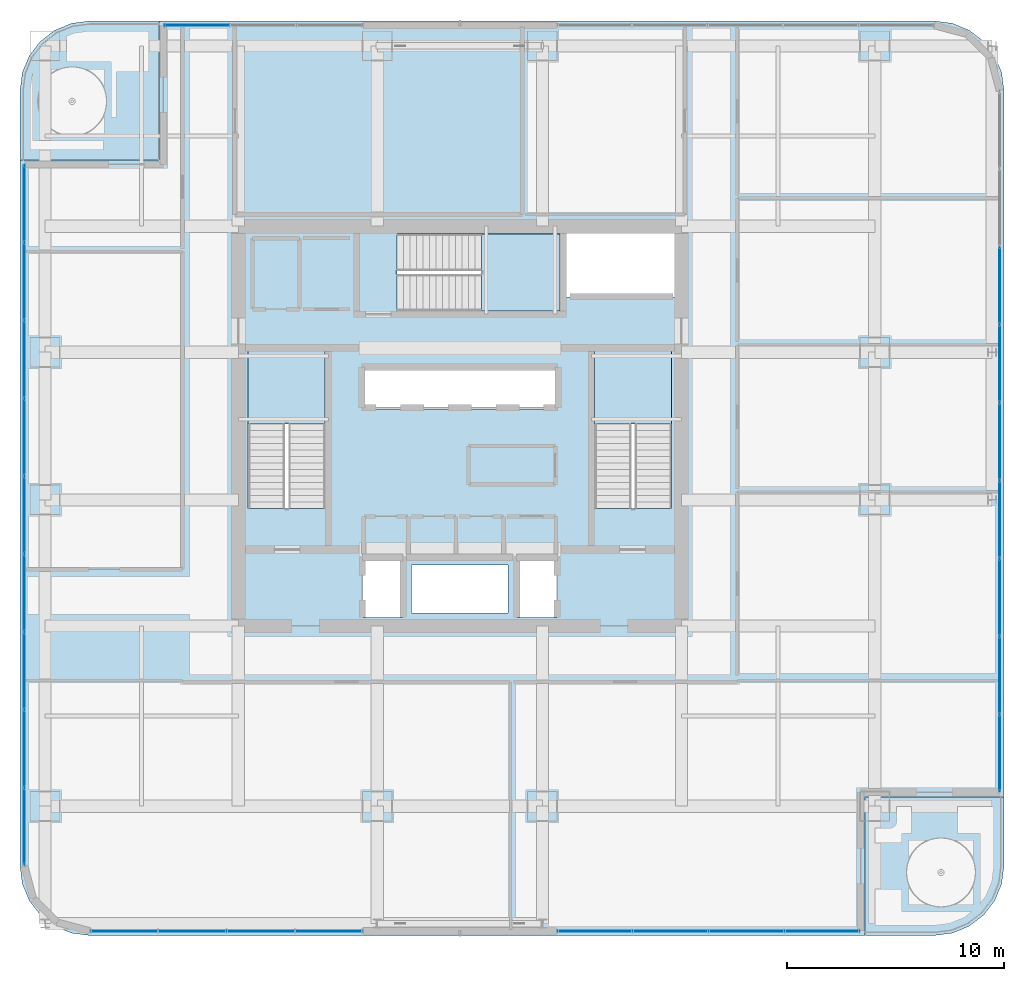
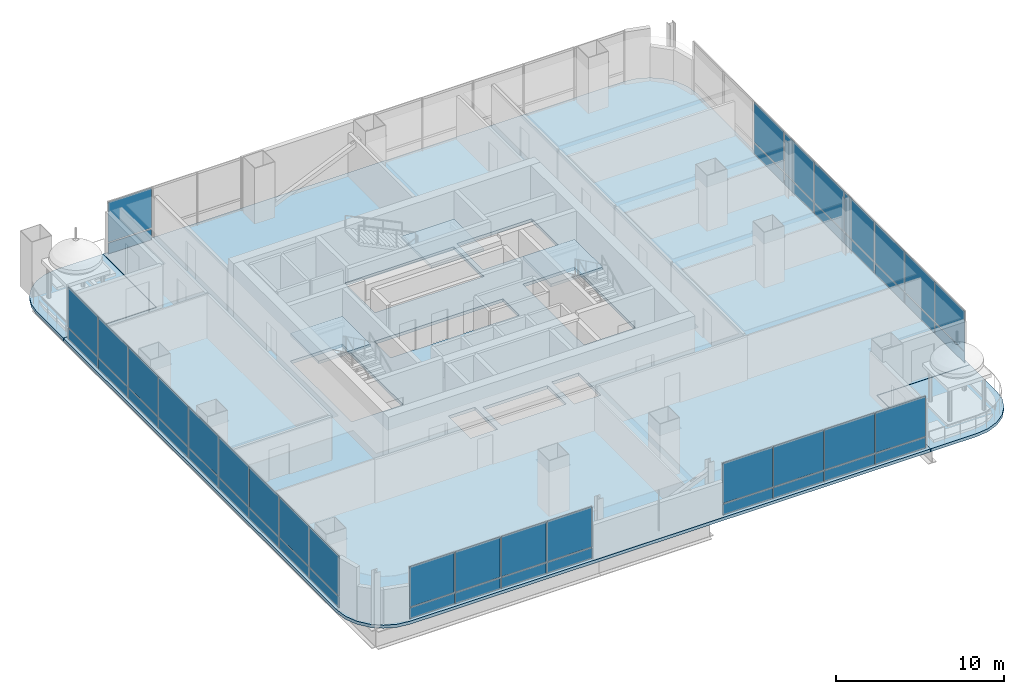
# One storey, part 27 of 41: 50 plates, 6 slabs, 8 elements without a shape of their own.
"""IFC4 building model written with IfcOpenShell, lengths in metres."""

from ifc_helpers import new_model, si_unit, direction, frame, origin, origin_2d, place, context, subcontext, project, spatial, polyline, rectangle, outline, extrude, material, layer, layer_set, type_object, element, aggregate, save


model = new_model("IFC4")

# Units and contexts
model_context = context("Model", 3, precision=1e-05, world=origin(), true_north=direction((0.0, 1.0)))
body_context = subcontext(model_context, "Body", "Model", "MODEL_VIEW")
ifc_project = project(units=[si_unit("LENGTHUNIT", "METRE"), si_unit("AREAUNIT", "SQUARE_METRE"), si_unit("VOLUMEUNIT", "CUBIC_METRE"), si_unit("PLANEANGLEUNIT", "RADIAN"), si_unit("MASSUNIT", "GRAM", prefix="KILO")], contexts=[model_context])

# Site, building, storey
site_placement = place(None, origin())
site = spatial("IfcSite", under=ifc_project, at=site_placement, CompositionType="ELEMENT")
building_placement = place(site_placement, origin())
building = spatial("IfcBuilding", under=site, at=building_placement, Name="Punatoya Terracotta Tower", CompositionType="ELEMENT")
storey_placement = place(building_placement, frame((0.0, 0.0, 220.800048828125)))
storey = spatial("IfcBuildingStorey", under=building, at=storey_placement, Name="L52", CompositionType="ELEMENT", Elevation=220.800048828125)

# Curtain wall, plates
ifc_material_1 = material(Name="Aluminium 6063-T6 + Double Low-E Glass", Category="aluminium")
curtain_wall_type = type_object("IfcCurtainWallType", Name="CW-M2", PredefinedType="NOTDEFINED", material=ifc_material_1)
curtain_wall_1_placement = place(storey_placement, origin())
curtain_wall_1 = element("IfcCurtainWall", 1, at=curtain_wall_1_placement, inside=storey, type_object=curtain_wall_type, Name="L52 Curtain Wall CW-L52-S01-1", PredefinedType="NOTDEFINED")
ifc_material_2 = material(Name="Double Low-E Acoustic Vision Glass", Category="glass")
ifc_layer_1 = layer(ifc_material_2, 0.031982421875)
ifc_layer_set_1 = layer_set([ifc_layer_1], Name="Double Low-E Acoustic Vision Glass")
plate_type_1 = type_object("IfcPlateType", Name="PLT-GLZ-32", PredefinedType="CURTAIN_PANEL", material=ifc_layer_set_1)
plate_1_placement = place(storey_placement, frame((-15.46337890625, -23.25, 0.889892578125), z_axis=(0.0, 0.0, 1.0), x_axis=(1.0, 0.0, 0.0)))
plate_1 = element("IfcPlate", 2, at=plate_1_placement, type_object=plate_type_1, Name="CW-L52-S01-1 Vision Glass Panel 1", PredefinedType="CURTAIN_PANEL", context=body_context, shape_type="SweptSolid", body=[
    extrude(rectangle(XDim=3.061767578125, YDim=0.031982421875, at=origin_2d()), origin(), (0.0, 0.0, 1.0), 2.89990234375),
])
plate_2_placement = place(storey_placement, frame((-12.31689453125, -23.25, 0.889892578125), z_axis=(0.0, 0.0, 1.0), x_axis=(1.0, 0.0, 0.0)))
plate_2 = element("IfcPlate", 3, at=plate_2_placement, type_object=plate_type_1, Name="CW-L52-S01-1 Vision Glass Panel 2", PredefinedType="CURTAIN_PANEL", context=body_context, shape_type="SweptSolid", body=[
    extrude(rectangle(XDim=3.061767578125, YDim=0.031982421875, at=origin_2d()), origin(), (0.0, 0.0, 1.0), 2.89990234375),
])
plate_3_placement = place(storey_placement, frame((-9.170166015625, -23.25, 0.889892578125), z_axis=(0.0, 0.0, 1.0), x_axis=(1.0, 0.0, 0.0)))
plate_3 = element("IfcPlate", 4, at=plate_3_placement, type_object=plate_type_1, Name="CW-L52-S01-1 Vision Glass Panel 3", PredefinedType="CURTAIN_PANEL", context=body_context, shape_type="SweptSolid", body=[
    extrude(rectangle(XDim=3.061767578125, YDim=0.031982421875, at=origin_2d()), origin(), (0.0, 0.0, 1.0), 2.89990234375),
])
plate_4_placement = place(storey_placement, frame((-6.0234375, -23.25, 0.889892578125), z_axis=(0.0, 0.0, 1.0), x_axis=(1.0, 0.0, 0.0)))
plate_4 = element("IfcPlate", 5, at=plate_4_placement, type_object=plate_type_1, Name="CW-L52-S01-1 Vision Glass Panel 4", PredefinedType="CURTAIN_PANEL", context=body_context, shape_type="SweptSolid", body=[
    extrude(rectangle(XDim=3.061767578125, YDim=0.031982421875, at=origin_2d()), origin(), (0.0, 0.0, 1.0), 2.89990234375),
])

curtain_wall_2_placement = place(storey_placement, origin())
curtain_wall_2 = element("IfcCurtainWall", 6, at=curtain_wall_2_placement, inside=storey, type_object=curtain_wall_type, Name="L52 Curtain Wall CW-L52-S01-2", PredefinedType="NOTDEFINED")
plate_5_placement = place(storey_placement, frame((6.199951171875, -23.25, 0.889892578125), z_axis=(0.0, 0.0, 1.0), x_axis=(1.0, 0.0, 0.0)))
plate_5 = element("IfcPlate", 7, at=plate_5_placement, type_object=plate_type_1, Name="CW-L52-S01-2 Vision Glass Panel 1", PredefinedType="CURTAIN_PANEL", context=body_context, shape_type="SweptSolid", body=[
    extrude(rectangle(XDim=3.4150390625, YDim=0.031982421875, at=origin_2d()), origin(), (0.0, 0.0, 1.0), 2.89990234375),
])
plate_6_placement = place(storey_placement, frame((9.699951171875, -23.25, 0.889892578125), z_axis=(0.0, 0.0, 1.0), x_axis=(1.0, 0.0, 0.0)))
plate_6 = element("IfcPlate", 8, at=plate_6_placement, type_object=plate_type_1, Name="CW-L52-S01-2 Vision Glass Panel 2", PredefinedType="CURTAIN_PANEL", context=body_context, shape_type="SweptSolid", body=[
    extrude(rectangle(XDim=3.4150390625, YDim=0.031982421875, at=origin_2d()), origin(), (0.0, 0.0, 1.0), 2.89990234375),
])
plate_7_placement = place(storey_placement, frame((13.199951171875, -23.25, 0.889892578125), z_axis=(0.0, 0.0, 1.0), x_axis=(1.0, 0.0, 0.0)))
plate_7 = element("IfcPlate", 9, at=plate_7_placement, type_object=plate_type_1, Name="CW-L52-S01-2 Vision Glass Panel 3", PredefinedType="CURTAIN_PANEL", context=body_context, shape_type="SweptSolid", body=[
    extrude(rectangle(XDim=3.4150390625, YDim=0.031982421875, at=origin_2d()), origin(), (0.0, 0.0, 1.0), 2.89990234375),
])
plate_8_placement = place(storey_placement, frame((16.699951171875, -23.25, 0.889892578125), z_axis=(0.0, 0.0, 1.0), x_axis=(1.0, 0.0, 0.0)))
plate_8 = element("IfcPlate", 10, at=plate_8_placement, type_object=plate_type_1, Name="CW-L52-S01-2 Vision Glass Panel 4", PredefinedType="CURTAIN_PANEL", context=body_context, shape_type="SweptSolid", body=[
    extrude(rectangle(XDim=3.4150390625, YDim=0.031982421875, at=origin_2d()), origin(), (0.0, 0.0, 1.0), 2.89990234375),
])

curtain_wall_3_placement = place(storey_placement, origin())
curtain_wall_3 = element("IfcCurtainWall", 11, at=curtain_wall_3_placement, inside=storey, type_object=curtain_wall_type, Name="L52 Curtain Wall CW-L52-E04-1", PredefinedType="NOTDEFINED")
plate_9_placement = place(storey_placement, frame((24.85009765625, -15.056396484375, 0.889892578125), z_axis=(0.0, 0.0, 1.0), x_axis=(0.0, 1.0, 0.0)))
plate_9 = element("IfcPlate", 12, at=plate_9_placement, type_object=plate_type_1, Name="CW-L52-E04-1 Vision Glass Panel 1", PredefinedType="CURTAIN_PANEL", context=body_context, shape_type="SweptSolid", body=[
    extrude(rectangle(XDim=3.50244140625, YDim=0.031982421875, at=origin_2d()), origin(), (0.0, 0.0, 1.0), 2.89990234375),
])
plate_10_placement = place(storey_placement, frame((24.85009765625, -11.468994140625, 0.889892578125), z_axis=(0.0, 0.0, 1.0), x_axis=(0.0, 1.0, 0.0)))
plate_10 = element("IfcPlate", 13, at=plate_10_placement, type_object=plate_type_1, Name="CW-L52-E04-1 Vision Glass Panel 2", PredefinedType="CURTAIN_PANEL", context=body_context, shape_type="SweptSolid", body=[
    extrude(rectangle(XDim=3.50244140625, YDim=0.031982421875, at=origin_2d()), origin(), (0.0, 0.0, 1.0), 2.89990234375),
])
plate_11_placement = place(storey_placement, frame((24.85009765625, -7.88134765625, 0.889892578125), z_axis=(0.0, 0.0, 1.0), x_axis=(0.0, 1.0, 0.0)))
plate_11 = element("IfcPlate", 14, at=plate_11_placement, type_object=plate_type_1, Name="CW-L52-E04-1 Vision Glass Panel 3", PredefinedType="CURTAIN_PANEL", context=body_context, shape_type="SweptSolid", body=[
    extrude(rectangle(XDim=3.50244140625, YDim=0.031982421875, at=origin_2d()), origin(), (0.0, 0.0, 1.0), 2.89990234375),
])
plate_12_placement = place(storey_placement, frame((24.85009765625, -4.2939453125, 0.889892578125), z_axis=(0.0, 0.0, 1.0), x_axis=(0.0, 1.0, 0.0)))
plate_12 = element("IfcPlate", 15, at=plate_12_placement, type_object=plate_type_1, Name="CW-L52-E04-1 Vision Glass Panel 4", PredefinedType="CURTAIN_PANEL", context=body_context, shape_type="SweptSolid", body=[
    extrude(rectangle(XDim=3.50244140625, YDim=0.031982421875, at=origin_2d()), origin(), (0.0, 0.0, 1.0), 2.89990234375),
])
plate_13_placement = place(storey_placement, frame((24.85009765625, -0.70654296875, 0.889892578125), z_axis=(0.0, 0.0, 1.0), x_axis=(0.0, 1.0, 0.0)))
plate_13 = element("IfcPlate", 16, at=plate_13_placement, type_object=plate_type_1, Name="CW-L52-E04-1 Vision Glass Panel 5", PredefinedType="CURTAIN_PANEL", context=body_context, shape_type="SweptSolid", body=[
    extrude(rectangle(XDim=3.50244140625, YDim=0.031982421875, at=origin_2d()), origin(), (0.0, 0.0, 1.0), 2.89990234375),
])
plate_14_placement = place(storey_placement, frame((24.85009765625, 2.880859375, 0.889892578125), z_axis=(0.0, 0.0, 1.0), x_axis=(0.0, 1.0, 0.0)))
plate_14 = element("IfcPlate", 17, at=plate_14_placement, type_object=plate_type_1, Name="CW-L52-E04-1 Vision Glass Panel 6", PredefinedType="CURTAIN_PANEL", context=body_context, shape_type="SweptSolid", body=[
    extrude(rectangle(XDim=3.50244140625, YDim=0.031982421875, at=origin_2d()), origin(), (0.0, 0.0, 1.0), 2.89990234375),
])
plate_15_placement = place(storey_placement, frame((24.85009765625, 6.46826171875, 0.889892578125), z_axis=(0.0, 0.0, 1.0), x_axis=(0.0, 1.0, 0.0)))
plate_15 = element("IfcPlate", 18, at=plate_15_placement, type_object=plate_type_1, Name="CW-L52-E04-1 Vision Glass Panel 7", PredefinedType="CURTAIN_PANEL", context=body_context, shape_type="SweptSolid", body=[
    extrude(rectangle(XDim=3.50244140625, YDim=0.031982421875, at=origin_2d()), origin(), (0.0, 0.0, 1.0), 2.89990234375),
])

# Curtain wall, plate
curtain_wall_4_placement = place(storey_placement, origin())
curtain_wall_4 = element("IfcCurtainWall", 19, at=curtain_wall_4_placement, inside=storey, type_object=curtain_wall_type, Name="L52 Curtain Wall CW-L52-N08-2", PredefinedType="NOTDEFINED")
plate_16_placement = place(storey_placement, frame((-12.11669921875, 18.449951171875, 0.889892578125), z_axis=(0.0, 0.0, 1.0), x_axis=(-1.0, 0.0, 0.0)))
plate_16 = element("IfcPlate", 20, at=plate_16_placement, type_object=plate_type_1, Name="CW-L52-N08-2 Vision Glass Panel 3", PredefinedType="CURTAIN_PANEL", context=body_context, shape_type="SweptSolid", body=[
    extrude(rectangle(XDim=2.981689453125, YDim=0.031982421875, at=origin_2d()), origin(), (0.0, 0.0, 1.0), 2.89990234375),
])

# Curtain wall, plates
curtain_wall_5_placement = place(storey_placement, origin())
curtain_wall_5 = element("IfcCurtainWall", 21, at=curtain_wall_5_placement, inside=storey, type_object=curtain_wall_type, Name="L52 Curtain Wall CW-L52-W11-1", PredefinedType="NOTDEFINED")
plate_17_placement = place(storey_placement, frame((-20.050048828125, 10.25634765625, 0.889892578125), z_axis=(0.0, 0.0, 1.0), x_axis=(0.0, -1.0, 0.0)))
plate_17 = element("IfcPlate", 22, at=plate_17_placement, type_object=plate_type_1, Name="CW-L52-W11-1 Vision Glass Panel 1", PredefinedType="CURTAIN_PANEL", context=body_context, shape_type="SweptSolid", body=[
    extrude(rectangle(XDim=3.50244140625, YDim=0.031982421875, at=origin_2d()), origin(), (0.0, 0.0, 1.0), 2.89990234375),
])
plate_18_placement = place(storey_placement, frame((-20.050048828125, 6.6689453125, 0.889892578125), z_axis=(0.0, 0.0, 1.0), x_axis=(0.0, -1.0, 0.0)))
plate_18 = element("IfcPlate", 23, at=plate_18_placement, type_object=plate_type_1, Name="CW-L52-W11-1 Vision Glass Panel 2", PredefinedType="CURTAIN_PANEL", context=body_context, shape_type="SweptSolid", body=[
    extrude(rectangle(XDim=3.50244140625, YDim=0.031982421875, at=origin_2d()), origin(), (0.0, 0.0, 1.0), 2.89990234375),
])
plate_19_placement = place(storey_placement, frame((-20.050048828125, 3.081298828125, 0.889892578125), z_axis=(0.0, 0.0, 1.0), x_axis=(0.0, -1.0, 0.0)))
plate_19 = element("IfcPlate", 24, at=plate_19_placement, type_object=plate_type_1, Name="CW-L52-W11-1 Vision Glass Panel 3", PredefinedType="CURTAIN_PANEL", context=body_context, shape_type="SweptSolid", body=[
    extrude(rectangle(XDim=3.50244140625, YDim=0.031982421875, at=origin_2d()), origin(), (0.0, 0.0, 1.0), 2.89990234375),
])
plate_20_placement = place(storey_placement, frame((-20.050048828125, -0.506103515625, 0.889892578125), z_axis=(0.0, 0.0, 1.0), x_axis=(0.0, -1.0, 0.0)))
plate_20 = element("IfcPlate", 25, at=plate_20_placement, type_object=plate_type_1, Name="CW-L52-W11-1 Vision Glass Panel 4", PredefinedType="CURTAIN_PANEL", context=body_context, shape_type="SweptSolid", body=[
    extrude(rectangle(XDim=3.50244140625, YDim=0.031982421875, at=origin_2d()), origin(), (0.0, 0.0, 1.0), 2.89990234375),
])
plate_21_placement = place(storey_placement, frame((-20.050048828125, -4.093505859375, 0.889892578125), z_axis=(0.0, 0.0, 1.0), x_axis=(0.0, -1.0, 0.0)))
plate_21 = element("IfcPlate", 26, at=plate_21_placement, type_object=plate_type_1, Name="CW-L52-W11-1 Vision Glass Panel 5", PredefinedType="CURTAIN_PANEL", context=body_context, shape_type="SweptSolid", body=[
    extrude(rectangle(XDim=3.50244140625, YDim=0.031982421875, at=origin_2d()), origin(), (0.0, 0.0, 1.0), 2.89990234375),
])
plate_22_placement = place(storey_placement, frame((-20.050048828125, -7.680908203125, 0.889892578125), z_axis=(0.0, 0.0, 1.0), x_axis=(0.0, -1.0, 0.0)))
plate_22 = element("IfcPlate", 27, at=plate_22_placement, type_object=plate_type_1, Name="CW-L52-W11-1 Vision Glass Panel 6", PredefinedType="CURTAIN_PANEL", context=body_context, shape_type="SweptSolid", body=[
    extrude(rectangle(XDim=3.50244140625, YDim=0.031982421875, at=origin_2d()), origin(), (0.0, 0.0, 1.0), 2.89990234375),
])
plate_23_placement = place(storey_placement, frame((-20.050048828125, -11.268310546875, 0.889892578125), z_axis=(0.0, 0.0, 1.0), x_axis=(0.0, -1.0, 0.0)))
plate_23 = element("IfcPlate", 28, at=plate_23_placement, type_object=plate_type_1, Name="CW-L52-W11-1 Vision Glass Panel 7", PredefinedType="CURTAIN_PANEL", context=body_context, shape_type="SweptSolid", body=[
    extrude(rectangle(XDim=3.50244140625, YDim=0.031982421875, at=origin_2d()), origin(), (0.0, 0.0, 1.0), 2.89990234375),
])
plate_24_placement = place(storey_placement, frame((-20.050048828125, -14.855712890625, 0.889892578125), z_axis=(0.0, 0.0, 1.0), x_axis=(0.0, -1.0, 0.0)))
plate_24 = element("IfcPlate", 29, at=plate_24_placement, type_object=plate_type_1, Name="CW-L52-W11-1 Vision Glass Panel 8", PredefinedType="CURTAIN_PANEL", context=body_context, shape_type="SweptSolid", body=[
    extrude(rectangle(XDim=3.50244140625, YDim=0.031982421875, at=origin_2d()), origin(), (0.0, 0.0, 1.0), 2.89990234375),
])
plate_25_placement = place(storey_placement, frame((-20.050048828125, -18.443115234375, 0.889892578125), z_axis=(0.0, 0.0, 1.0), x_axis=(0.0, -1.0, 0.0)))
plate_25 = element("IfcPlate", 30, at=plate_25_placement, type_object=plate_type_1, Name="CW-L52-W11-1 Vision Glass Panel 9", PredefinedType="CURTAIN_PANEL", context=body_context, shape_type="SweptSolid", body=[
    extrude(rectangle(XDim=3.50244140625, YDim=0.031982421875, at=origin_2d()), origin(), (0.0, 0.0, 1.0), 2.89990234375),
])

# Plate
ifc_material_3 = material(Name="Insulated Terracotta-Backed Spandrel Panel", Category="masonry")
ifc_layer_2 = layer(ifc_material_3, 0.044921875)
ifc_layer_set_2 = layer_set([ifc_layer_2], Name="Insulated Terracotta-Backed Spandrel Panel")
plate_type_2 = type_object("IfcPlateType", Name="PLT-SPN-45", PredefinedType="CURTAIN_PANEL", material=ifc_layer_set_2)
plate_26_placement = place(storey_placement, frame((-15.46337890625, -23.25, 0.0400390625), z_axis=(0.0, 0.0, 1.0), x_axis=(1.0, 0.0, 0.0)))
plate_26 = element("IfcPlate", 31, at=plate_26_placement, type_object=plate_type_2, Name="CW-L52-S01-1 Terracotta Spandrel Panel 1", PredefinedType="CURTAIN_PANEL", context=body_context, shape_type="SweptSolid", body=[
    extrude(rectangle(XDim=3.061767578125, YDim=0.044921875, at=origin_2d()), origin(), (0.0, 0.0, 1.0), 0.77490234375),
])

plate_27_placement = place(storey_placement, frame((-12.31689453125, -23.25, 0.0400390625), z_axis=(0.0, 0.0, 1.0), x_axis=(1.0, 0.0, 0.0)))
plate_27 = element("IfcPlate", 32, at=plate_27_placement, type_object=plate_type_2, Name="CW-L52-S01-1 Terracotta Spandrel Panel 2", PredefinedType="CURTAIN_PANEL", context=body_context, shape_type="SweptSolid", body=[
    extrude(rectangle(XDim=3.061767578125, YDim=0.044921875, at=origin_2d()), origin(), (0.0, 0.0, 1.0), 0.77490234375),
])

plate_28_placement = place(storey_placement, frame((-9.170166015625, -23.25, 0.0400390625), z_axis=(0.0, 0.0, 1.0), x_axis=(1.0, 0.0, 0.0)))
plate_28 = element("IfcPlate", 33, at=plate_28_placement, type_object=plate_type_2, Name="CW-L52-S01-1 Terracotta Spandrel Panel 3", PredefinedType="CURTAIN_PANEL", context=body_context, shape_type="SweptSolid", body=[
    extrude(rectangle(XDim=3.061767578125, YDim=0.044921875, at=origin_2d()), origin(), (0.0, 0.0, 1.0), 0.77490234375),
])

plate_29_placement = place(storey_placement, frame((-6.0234375, -23.25, 0.0400390625), z_axis=(0.0, 0.0, 1.0), x_axis=(1.0, 0.0, 0.0)))
plate_29 = element("IfcPlate", 34, at=plate_29_placement, type_object=plate_type_2, Name="CW-L52-S01-1 Terracotta Spandrel Panel 4", PredefinedType="CURTAIN_PANEL", context=body_context, shape_type="SweptSolid", body=[
    extrude(rectangle(XDim=3.061767578125, YDim=0.044921875, at=origin_2d()), origin(), (0.0, 0.0, 1.0), 0.77490234375),
])

aggregate(curtain_wall_1, [plate_26, plate_1, plate_27, plate_2, plate_28, plate_3, plate_29, plate_4])

plate_30_placement = place(storey_placement, frame((6.199951171875, -23.25, 0.0400390625), z_axis=(0.0, 0.0, 1.0), x_axis=(1.0, 0.0, 0.0)))
plate_30 = element("IfcPlate", 35, at=plate_30_placement, type_object=plate_type_2, Name="CW-L52-S01-2 Terracotta Spandrel Panel 1", PredefinedType="CURTAIN_PANEL", context=body_context, shape_type="SweptSolid", body=[
    extrude(rectangle(XDim=3.4150390625, YDim=0.044921875, at=origin_2d()), origin(), (0.0, 0.0, 1.0), 0.77490234375),
])

plate_31_placement = place(storey_placement, frame((9.699951171875, -23.25, 0.0400390625), z_axis=(0.0, 0.0, 1.0), x_axis=(1.0, 0.0, 0.0)))
plate_31 = element("IfcPlate", 36, at=plate_31_placement, type_object=plate_type_2, Name="CW-L52-S01-2 Terracotta Spandrel Panel 2", PredefinedType="CURTAIN_PANEL", context=body_context, shape_type="SweptSolid", body=[
    extrude(rectangle(XDim=3.4150390625, YDim=0.044921875, at=origin_2d()), origin(), (0.0, 0.0, 1.0), 0.77490234375),
])

plate_32_placement = place(storey_placement, frame((13.199951171875, -23.25, 0.0400390625), z_axis=(0.0, 0.0, 1.0), x_axis=(1.0, 0.0, 0.0)))
plate_32 = element("IfcPlate", 37, at=plate_32_placement, type_object=plate_type_2, Name="CW-L52-S01-2 Terracotta Spandrel Panel 3", PredefinedType="CURTAIN_PANEL", context=body_context, shape_type="SweptSolid", body=[
    extrude(rectangle(XDim=3.4150390625, YDim=0.044921875, at=origin_2d()), origin(), (0.0, 0.0, 1.0), 0.77490234375),
])

plate_33_placement = place(storey_placement, frame((16.699951171875, -23.25, 0.0400390625), z_axis=(0.0, 0.0, 1.0), x_axis=(1.0, 0.0, 0.0)))
plate_33 = element("IfcPlate", 38, at=plate_33_placement, type_object=plate_type_2, Name="CW-L52-S01-2 Terracotta Spandrel Panel 4", PredefinedType="CURTAIN_PANEL", context=body_context, shape_type="SweptSolid", body=[
    extrude(rectangle(XDim=3.4150390625, YDim=0.044921875, at=origin_2d()), origin(), (0.0, 0.0, 1.0), 0.77490234375),
])

aggregate(curtain_wall_2, [plate_30, plate_5, plate_31, plate_6, plate_32, plate_7, plate_33, plate_8])

plate_34_placement = place(storey_placement, frame((24.85009765625, -15.056396484375, 0.0400390625), z_axis=(0.0, 0.0, 1.0), x_axis=(0.0, 1.0, 0.0)))
plate_34 = element("IfcPlate", 39, at=plate_34_placement, type_object=plate_type_2, Name="CW-L52-E04-1 Terracotta Spandrel Panel 1", PredefinedType="CURTAIN_PANEL", context=body_context, shape_type="SweptSolid", body=[
    extrude(rectangle(XDim=3.50244140625, YDim=0.044921875, at=origin_2d()), origin(), (0.0, 0.0, 1.0), 0.77490234375),
])

plate_35_placement = place(storey_placement, frame((24.85009765625, -11.468994140625, 0.0400390625), z_axis=(0.0, 0.0, 1.0), x_axis=(0.0, 1.0, 0.0)))
plate_35 = element("IfcPlate", 40, at=plate_35_placement, type_object=plate_type_2, Name="CW-L52-E04-1 Terracotta Spandrel Panel 2", PredefinedType="CURTAIN_PANEL", context=body_context, shape_type="SweptSolid", body=[
    extrude(rectangle(XDim=3.50244140625, YDim=0.044921875, at=origin_2d()), origin(), (0.0, 0.0, 1.0), 0.77490234375),
])

plate_36_placement = place(storey_placement, frame((24.85009765625, -7.88134765625, 0.0400390625), z_axis=(0.0, 0.0, 1.0), x_axis=(0.0, 1.0, 0.0)))
plate_36 = element("IfcPlate", 41, at=plate_36_placement, type_object=plate_type_2, Name="CW-L52-E04-1 Terracotta Spandrel Panel 3", PredefinedType="CURTAIN_PANEL", context=body_context, shape_type="SweptSolid", body=[
    extrude(rectangle(XDim=3.50244140625, YDim=0.044921875, at=origin_2d()), origin(), (0.0, 0.0, 1.0), 0.77490234375),
])

plate_37_placement = place(storey_placement, frame((24.85009765625, -4.2939453125, 0.0400390625), z_axis=(0.0, 0.0, 1.0), x_axis=(0.0, 1.0, 0.0)))
plate_37 = element("IfcPlate", 42, at=plate_37_placement, type_object=plate_type_2, Name="CW-L52-E04-1 Terracotta Spandrel Panel 4", PredefinedType="CURTAIN_PANEL", context=body_context, shape_type="SweptSolid", body=[
    extrude(rectangle(XDim=3.50244140625, YDim=0.044921875, at=origin_2d()), origin(), (0.0, 0.0, 1.0), 0.77490234375),
])

plate_38_placement = place(storey_placement, frame((24.85009765625, -0.70654296875, 0.0400390625), z_axis=(0.0, 0.0, 1.0), x_axis=(0.0, 1.0, 0.0)))
plate_38 = element("IfcPlate", 43, at=plate_38_placement, type_object=plate_type_2, Name="CW-L52-E04-1 Terracotta Spandrel Panel 5", PredefinedType="CURTAIN_PANEL", context=body_context, shape_type="SweptSolid", body=[
    extrude(rectangle(XDim=3.50244140625, YDim=0.044921875, at=origin_2d()), origin(), (0.0, 0.0, 1.0), 0.77490234375),
])

plate_39_placement = place(storey_placement, frame((24.85009765625, 2.880859375, 0.0400390625), z_axis=(0.0, 0.0, 1.0), x_axis=(0.0, 1.0, 0.0)))
plate_39 = element("IfcPlate", 44, at=plate_39_placement, type_object=plate_type_2, Name="CW-L52-E04-1 Terracotta Spandrel Panel 6", PredefinedType="CURTAIN_PANEL", context=body_context, shape_type="SweptSolid", body=[
    extrude(rectangle(XDim=3.50244140625, YDim=0.044921875, at=origin_2d()), origin(), (0.0, 0.0, 1.0), 0.77490234375),
])

plate_40_placement = place(storey_placement, frame((24.85009765625, 6.46826171875, 0.0400390625), z_axis=(0.0, 0.0, 1.0), x_axis=(0.0, 1.0, 0.0)))
plate_40 = element("IfcPlate", 45, at=plate_40_placement, type_object=plate_type_2, Name="CW-L52-E04-1 Terracotta Spandrel Panel 7", PredefinedType="CURTAIN_PANEL", context=body_context, shape_type="SweptSolid", body=[
    extrude(rectangle(XDim=3.50244140625, YDim=0.044921875, at=origin_2d()), origin(), (0.0, 0.0, 1.0), 0.77490234375),
])

aggregate(curtain_wall_3, [plate_34, plate_9, plate_35, plate_10, plate_36, plate_11, plate_37, plate_12, plate_38, plate_13, plate_39, plate_14, plate_40, plate_15])

plate_41_placement = place(storey_placement, frame((-12.11669921875, 18.449951171875, 0.0400390625), z_axis=(0.0, 0.0, 1.0), x_axis=(-1.0, 0.0, 0.0)))
plate_41 = element("IfcPlate", 46, at=plate_41_placement, type_object=plate_type_2, Name="CW-L52-N08-2 Terracotta Spandrel Panel 3", PredefinedType="CURTAIN_PANEL", context=body_context, shape_type="SweptSolid", body=[
    extrude(rectangle(XDim=2.981689453125, YDim=0.044921875, at=origin_2d()), origin(), (0.0, 0.0, 1.0), 0.77490234375),
])

aggregate(curtain_wall_4, [plate_41, plate_16])

plate_42_placement = place(storey_placement, frame((-20.050048828125, 10.25634765625, 0.0400390625), z_axis=(0.0, 0.0, 1.0), x_axis=(0.0, -1.0, 0.0)))
plate_42 = element("IfcPlate", 47, at=plate_42_placement, type_object=plate_type_2, Name="CW-L52-W11-1 Terracotta Spandrel Panel 1", PredefinedType="CURTAIN_PANEL", context=body_context, shape_type="SweptSolid", body=[
    extrude(rectangle(XDim=3.50244140625, YDim=0.044921875, at=origin_2d()), origin(), (0.0, 0.0, 1.0), 0.77490234375),
])

plate_43_placement = place(storey_placement, frame((-20.050048828125, 6.6689453125, 0.0400390625), z_axis=(0.0, 0.0, 1.0), x_axis=(0.0, -1.0, 0.0)))
plate_43 = element("IfcPlate", 48, at=plate_43_placement, type_object=plate_type_2, Name="CW-L52-W11-1 Terracotta Spandrel Panel 2", PredefinedType="CURTAIN_PANEL", context=body_context, shape_type="SweptSolid", body=[
    extrude(rectangle(XDim=3.50244140625, YDim=0.044921875, at=origin_2d()), origin(), (0.0, 0.0, 1.0), 0.77490234375),
])

plate_44_placement = place(storey_placement, frame((-20.050048828125, 3.081298828125, 0.0400390625), z_axis=(0.0, 0.0, 1.0), x_axis=(0.0, -1.0, 0.0)))
plate_44 = element("IfcPlate", 49, at=plate_44_placement, type_object=plate_type_2, Name="CW-L52-W11-1 Terracotta Spandrel Panel 3", PredefinedType="CURTAIN_PANEL", context=body_context, shape_type="SweptSolid", body=[
    extrude(rectangle(XDim=3.50244140625, YDim=0.044921875, at=origin_2d()), origin(), (0.0, 0.0, 1.0), 0.77490234375),
])

plate_45_placement = place(storey_placement, frame((-20.050048828125, -0.506103515625, 0.0400390625), z_axis=(0.0, 0.0, 1.0), x_axis=(0.0, -1.0, 0.0)))
plate_45 = element("IfcPlate", 50, at=plate_45_placement, type_object=plate_type_2, Name="CW-L52-W11-1 Terracotta Spandrel Panel 4", PredefinedType="CURTAIN_PANEL", context=body_context, shape_type="SweptSolid", body=[
    extrude(rectangle(XDim=3.50244140625, YDim=0.044921875, at=origin_2d()), origin(), (0.0, 0.0, 1.0), 0.77490234375),
])

plate_46_placement = place(storey_placement, frame((-20.050048828125, -4.093505859375, 0.0400390625), z_axis=(0.0, 0.0, 1.0), x_axis=(0.0, -1.0, 0.0)))
plate_46 = element("IfcPlate", 51, at=plate_46_placement, type_object=plate_type_2, Name="CW-L52-W11-1 Terracotta Spandrel Panel 5", PredefinedType="CURTAIN_PANEL", context=body_context, shape_type="SweptSolid", body=[
    extrude(rectangle(XDim=3.50244140625, YDim=0.044921875, at=origin_2d()), origin(), (0.0, 0.0, 1.0), 0.77490234375),
])

plate_47_placement = place(storey_placement, frame((-20.050048828125, -7.680908203125, 0.0400390625), z_axis=(0.0, 0.0, 1.0), x_axis=(0.0, -1.0, 0.0)))
plate_47 = element("IfcPlate", 52, at=plate_47_placement, type_object=plate_type_2, Name="CW-L52-W11-1 Terracotta Spandrel Panel 6", PredefinedType="CURTAIN_PANEL", context=body_context, shape_type="SweptSolid", body=[
    extrude(rectangle(XDim=3.50244140625, YDim=0.044921875, at=origin_2d()), origin(), (0.0, 0.0, 1.0), 0.77490234375),
])

plate_48_placement = place(storey_placement, frame((-20.050048828125, -11.268310546875, 0.0400390625), z_axis=(0.0, 0.0, 1.0), x_axis=(0.0, -1.0, 0.0)))
plate_48 = element("IfcPlate", 53, at=plate_48_placement, type_object=plate_type_2, Name="CW-L52-W11-1 Terracotta Spandrel Panel 7", PredefinedType="CURTAIN_PANEL", context=body_context, shape_type="SweptSolid", body=[
    extrude(rectangle(XDim=3.50244140625, YDim=0.044921875, at=origin_2d()), origin(), (0.0, 0.0, 1.0), 0.77490234375),
])

plate_49_placement = place(storey_placement, frame((-20.050048828125, -14.855712890625, 0.0400390625), z_axis=(0.0, 0.0, 1.0), x_axis=(0.0, -1.0, 0.0)))
plate_49 = element("IfcPlate", 54, at=plate_49_placement, type_object=plate_type_2, Name="CW-L52-W11-1 Terracotta Spandrel Panel 8", PredefinedType="CURTAIN_PANEL", context=body_context, shape_type="SweptSolid", body=[
    extrude(rectangle(XDim=3.50244140625, YDim=0.044921875, at=origin_2d()), origin(), (0.0, 0.0, 1.0), 0.77490234375),
])

plate_50_placement = place(storey_placement, frame((-20.050048828125, -18.443115234375, 0.0400390625), z_axis=(0.0, 0.0, 1.0), x_axis=(0.0, -1.0, 0.0)))
plate_50 = element("IfcPlate", 55, at=plate_50_placement, type_object=plate_type_2, Name="CW-L52-W11-1 Terracotta Spandrel Panel 9", PredefinedType="CURTAIN_PANEL", context=body_context, shape_type="SweptSolid", body=[
    extrude(rectangle(XDim=3.50244140625, YDim=0.044921875, at=origin_2d()), origin(), (0.0, 0.0, 1.0), 0.77490234375),
])

aggregate(curtain_wall_5, [plate_42, plate_17, plate_43, plate_18, plate_44, plate_19, plate_45, plate_20, plate_46, plate_21, plate_47, plate_22, plate_48, plate_23, plate_49, plate_24, plate_50, plate_25])

# Stair, slab
ifc_material_4 = material(Name="Concrete C40/50", Category="concrete")
stair_type_1 = type_object("IfcStairType", Name="STR-TER-1450", PredefinedType="HALF_TURN_STAIR", material=ifc_material_4)
stair_1_placement = place(storey_placement, origin())
stair_1 = element("IfcStair", 56, at=stair_1_placement, inside=storey, type_object=stair_type_1, Name="L52 Protected Core Exit Stair ST-3", PredefinedType="HALF_TURN_STAIR")
ifc_layer_3 = layer(ifc_material_4, 0.1650390625)
ifc_layer_set_3 = layer_set([ifc_layer_3], Name="Concrete C40/50")
slab_type_1 = type_object("IfcSlabType", Name="SLB-LND-165", PredefinedType="LANDING", material=ifc_layer_set_3)
slab_1_placement = place(storey_placement, frame((0.0, 0.0, 1.824951171875)))
slab_1 = element("IfcSlab", 57, at=slab_1_placement, type_object=slab_type_1, Name="ST-3 landing 1", PredefinedType="LANDING", context=body_context, shape_type="SweptSolid", body=[
    extrude(outline(polyline([(1.0, 5.300048828125), (4.60009765625, 5.300048828125), (4.60009765625, 8.85009765625), (1.0, 8.85009765625), (1.0, 5.300048828125)])), origin(), (0.0, 0.0, 1.0), 0.199951171875),
])
aggregate(stair_1, [slab_1])

stair_type_2 = type_object("IfcStairType", Name="STR-CORE-1550", PredefinedType="HALF_TURN_STAIR", material=ifc_material_4)
stair_2_placement = place(storey_placement, origin())
stair_2 = element("IfcStair", 58, at=stair_2_placement, inside=storey, type_object=stair_type_2, Name="L52 Protected Core Exit Stair ST-1", PredefinedType="HALF_TURN_STAIR")
ifc_layer_4 = layer(ifc_material_4, 0.179931640625)
ifc_layer_set_4 = layer_set([ifc_layer_4], Name="Concrete C40/50")
slab_type_2 = type_object("IfcSlabType", Name="SLB-LND-180", PredefinedType="LANDING", material=ifc_layer_set_4)
slab_2_placement = place(storey_placement, frame((0.0, 0.0, 1.824951171875)))
slab_2 = element("IfcSlab", 59, at=slab_2_placement, type_object=slab_type_2, Name="ST-1 landing 1", PredefinedType="LANDING", context=body_context, shape_type="SweptSolid", body=[
    extrude(outline(polyline([(-6.199951171875, 0.10009765625), (-6.199951171875, 3.449951171875), (-9.75, 3.449951171875), (-9.75, 0.10009765625), (-6.199951171875, 0.10009765625)])), origin(), (0.0, 0.0, 1.0), 0.199951171875),
])
aggregate(stair_2, [slab_2])

stair_type_3 = type_object("IfcStairType", Name="STR-LOB-1650", PredefinedType="HALF_TURN_STAIR", material=ifc_material_4)
stair_3_placement = place(storey_placement, origin())
stair_3 = element("IfcStair", 60, at=stair_3_placement, inside=storey, type_object=stair_type_3, Name="L52 Protected Core Exit Stair ST-2", PredefinedType="HALF_TURN_STAIR")
slab_3_placement = place(storey_placement, frame((0.0, 0.0, 1.824951171875)))
slab_3 = element("IfcSlab", 61, at=slab_3_placement, type_object=slab_type_2, Name="ST-2 landing 1", PredefinedType="LANDING", context=body_context, shape_type="SweptSolid", body=[
    extrude(outline(polyline([(9.75, 0.10009765625), (9.75, 3.449951171875), (6.199951171875, 3.449951171875), (6.199951171875, 0.10009765625), (9.75, 0.10009765625)])), origin(), (0.0, 0.0, 1.0), 0.199951171875),
])
aggregate(stair_3, [slab_3])

# Slabs
ifc_layer_5 = layer(ifc_material_4, 0.219970703125)
ifc_layer_set_5 = layer_set([ifc_layer_5], Name="Concrete C40/50")
slab_type_3 = type_object("IfcSlabType", Name="SLB-OFF-220", PredefinedType="FLOOR", material=ifc_layer_set_5)
slab_4_placement = place(storey_placement, frame((0.0, 0.0, -0.219970703125)))
element("IfcSlab", 62, at=slab_4_placement, inside=storey, type_object=slab_type_3, Name="L52 Structural Floor Slab", PredefinedType="FLOOR", context=body_context, shape_type="SweptSolid", body=[
    extrude(outline(polyline([(-17.050048828125, -23.449951171875), (-17.878173828125, -23.341064453125), (-18.64990234375, -23.021240234375), (-19.312744140625, -22.5126953125), (-19.8212890625, -21.85009765625), (-20.14111328125, -21.078125), (-20.25, -20.25), (-20.25, 12.25), (-13.85009765625, 12.25), (-13.85009765625, 18.64990234375), (21.85009765625, 18.64990234375), (22.67822265625, 18.541015625), (23.449951171875, 18.22119140625), (24.11279296875, 17.712646484375), (24.621337890625, 17.050048828125), (24.94091796875, 16.2783203125), (25.050048828125, 15.449951171875), (25.050048828125, -17.050048828125), (18.64990234375, -17.050048828125), (18.64990234375, -23.449951171875), (-17.050048828125, -23.449951171875)]), holes=[polyline([(-2.6298828125, -6.179931640625), (-4.469970703125, -6.179931640625), (-4.469970703125, -8.820068359375), (-2.6298828125, -8.820068359375), (-2.6298828125, -6.179931640625)]), polyline([(0.02001953125, -8.594970703125), (2.219970703125, -8.594970703125), (2.219970703125, -6.405029296875), (0.02001953125, -6.405029296875), (-0.02001953125, -6.405029296875), (-2.219970703125, -6.405029296875), (-2.219970703125, -8.594970703125), (-0.02001953125, -8.594970703125), (0.02001953125, -8.594970703125)]), polyline([(-6.199951171875, 3.449951171875), (-9.75, 3.449951171875), (-9.75, -3.79931640625), (-6.199951171875, -3.79931640625), (-6.199951171875, 3.449951171875)]), polyline([(-4.419921875, 2.719970703125), (-4.419921875, 0.780029296875), (-2.219970703125, 0.780029296875), (-2.179931640625, 0.780029296875), (-0.02001953125, 0.780029296875), (0.02001953125, 0.780029296875), (2.179931640625, 0.780029296875), (2.219970703125, 0.780029296875), (4.419921875, 0.780029296875), (4.419921875, 2.719970703125), (2.219970703125, 2.719970703125), (2.179931640625, 2.719970703125), (0.02001953125, 2.719970703125), (-0.02001953125, 2.719970703125), (-2.179931640625, 2.719970703125), (-2.219970703125, 2.719970703125), (-4.419921875, 2.719970703125)]), polyline([(4.60009765625, 5.300048828125), (4.60009765625, 8.85009765625), (-2.899169921875, 8.85009765625), (-2.899169921875, 5.300048828125), (4.60009765625, 5.300048828125)]), polyline([(4.469970703125, -8.820068359375), (4.469970703125, -6.179931640625), (2.6298828125, -6.179931640625), (2.6298828125, -8.820068359375), (4.469970703125, -8.820068359375)]), polyline([(9.75, 3.449951171875), (6.199951171875, 3.449951171875), (6.199951171875, -3.79931640625), (9.75, -3.79931640625), (9.75, 3.449951171875)]), polyline([(10.050048828125, 5.949951171875), (10.050048828125, 9.050048828125), (4.89990234375, 9.050048828125), (4.89990234375, 5.949951171875), (10.050048828125, 5.949951171875)])]), origin(), (0.0, 0.0, 1.0), 0.219970703125),
])
slab_5_placement = place(storey_placement, frame((0.0, 0.0, -0.219970703125)))
element("IfcSlab", 63, at=slab_5_placement, inside=storey, type_object=slab_type_3, Name="L52 NW Corner Sky-Court Terrace Slab", PredefinedType="FLOOR", context=body_context, shape_type="SweptSolid", body=[
    extrude(outline(polyline([(-20.25, 15.449951171875), (-20.14111328125, 16.2783203125), (-19.8212890625, 17.050048828125), (-19.312744140625, 17.712646484375), (-18.64990234375, 18.22119140625), (-17.878173828125, 18.541015625), (-17.050048828125, 18.64990234375), (-13.8701171875, 18.64990234375), (-13.8701171875, 12.27001953125), (-20.25, 12.27001953125), (-20.25, 15.449951171875)])), origin(), (0.0, 0.0, 1.0), 0.219970703125),
])
slab_6_placement = place(storey_placement, frame((0.0, 0.0, -0.219970703125)))
element("IfcSlab", 64, at=slab_6_placement, inside=storey, type_object=slab_type_3, Name="L52 SE Corner Sky-Court Terrace Slab", PredefinedType="FLOOR", context=body_context, shape_type="SweptSolid", body=[
    extrude(outline(polyline([(25.050048828125, -20.25), (24.94091796875, -21.078125), (24.621337890625, -21.85009765625), (24.11279296875, -22.5126953125), (23.449951171875, -23.021240234375), (22.67822265625, -23.341064453125), (21.85009765625, -23.449951171875), (18.669921875, -23.449951171875), (18.669921875, -17.070068359375), (25.050048828125, -17.070068359375), (25.050048828125, -20.25)])), origin(), (0.0, 0.0, 1.0), 0.219970703125),
])

save(model, "model.ifc")
